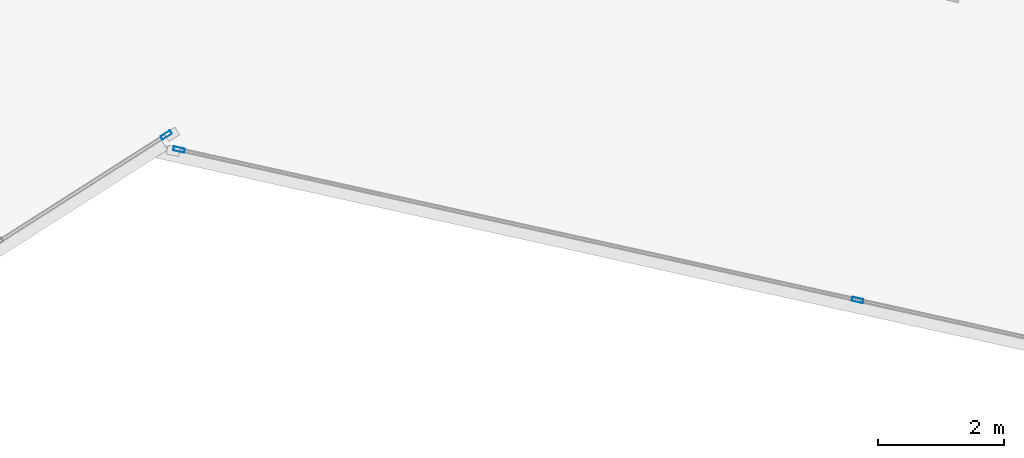
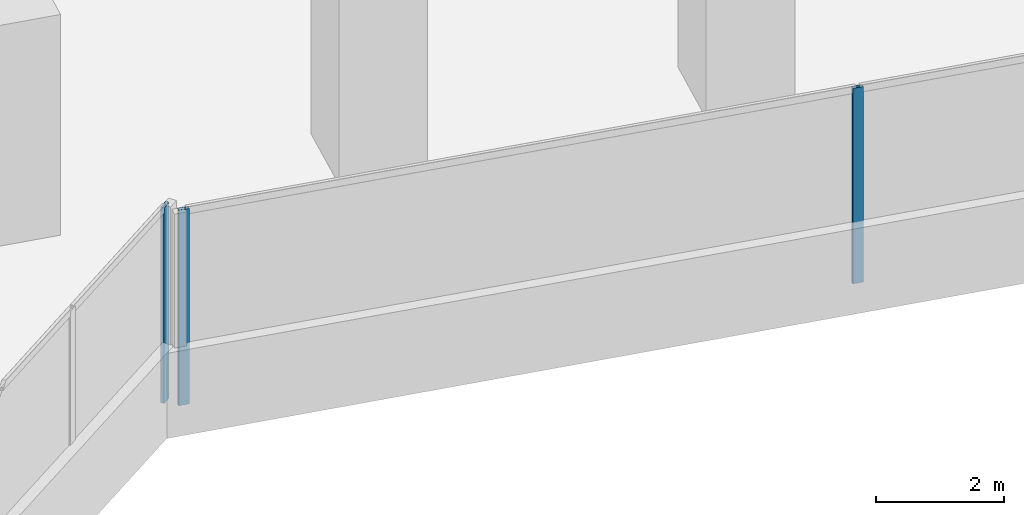
# One storey, part 8 of 25: 3 members, 2 elements without a shape of their own.
"""IFC4 building model written with IfcOpenShell, lengths in metres."""

from ifc_helpers import new_model, si_unit, direction, frame, origin, origin_2d, place, context, subcontext, project, spatial, hollow_rectangle, extrude, source, transform, mapped, material, material_profile, profile_set, type_object, element, aggregate, save


model = new_model("IFC4")

# Units and contexts
model_context = context("Model", 3, precision=1e-05, world=origin(), true_north=direction((0.0, 1.0)))
body_context = subcontext(model_context, "Body", "Model", "MODEL_VIEW")
ifc_project = project(units=[si_unit("LENGTHUNIT", "METRE"), si_unit("AREAUNIT", "SQUARE_METRE"), si_unit("VOLUMEUNIT", "CUBIC_METRE"), si_unit("PLANEANGLEUNIT", "RADIAN"), si_unit("MASSUNIT", "GRAM", prefix="KILO")], contexts=[model_context])

# Site, building, storey
site_placement = place(None, origin())
site = spatial("IfcSite", under=ifc_project, at=site_placement, CompositionType="ELEMENT")
building_placement = place(site_placement, origin())
building = spatial("IfcBuilding", under=site, at=building_placement, Name="Torre Montelarca", CompositionType="ELEMENT")
storey_placement = place(building_placement, frame((0.0, 0.0, 87.39990234375)))
storey = spatial("IfcBuildingStorey", under=building, at=storey_placement, Name="L19", CompositionType="ELEMENT", Elevation=87.39990234375)

# Curtain wall, member
ifc_material_1 = material(Name="Insulated low-E laminated glass", Category="glass")
curtain_wall_type = type_object("IfcCurtainWallType", Name="CW-SYS-Z1", PredefinedType="USERDEFINED", material=ifc_material_1)
curtain_wall_1_placement = place(storey_placement, origin())
curtain_wall_1 = element("IfcCurtainWall", 1, at=curtain_wall_1_placement, inside=storey, type_object=curtain_wall_type, Name="L19 Curtain Wall Run CW-T3-L19-E02-B1", ObjectType="UNITISED GLAZING", PredefinedType="USERDEFINED")
ifc_material_2 = material(Name="Anodised aluminium AA 6063-T6", Category="aluminium")
ifc_material_profile = material_profile(ifc_material_2, hollow_rectangle(XDim=0.06494140625, YDim=0.179931640625, WallThickness=0.00390625, InnerFilletRadius=0.00390625, OuterFilletRadius=0.008056640625, at=origin_2d()), Name="ALU65X180X4", Category="aluminium")
ifc_profile_set = profile_set([ifc_material_profile], Name="Anodised aluminium AA 6063-T6")
member_type = type_object("IfcMemberType", Name="CWM-ALU180", PredefinedType="MULLION", material=ifc_profile_set)
shared_shape = source(origin(), body_context, "Body", "SweptSolid", [
    extrude(hollow_rectangle(XDim=0.06494140625, YDim=0.179931640625, WallThickness=0.00390625, InnerFilletRadius=0.00390625, OuterFilletRadius=0.008056640625, at=origin_2d()), origin(), (0.0, 0.0, 1.0), 3.72021484375),
])
member_1_placement = place(storey_placement, frame((33.642578125, 15.4921875, 0.0), z_axis=(0.0, 0.0, 1.0), x_axis=(-0.537312197398, 0.843383425571, 0.0)))
member_1 = element("IfcMember", 2, at=member_1_placement, type_object=member_type, Name="CW mullion 3", PredefinedType="MULLION", context=body_context, shape_type="MappedRepresentation", body=[
    mapped(shared_shape, transform((0.0, 0.0, 0.0), scale=1.0)),
])
aggregate(curtain_wall_1, [member_1])

# Curtain wall, members
curtain_wall_2_placement = place(storey_placement, origin())
curtain_wall_2 = element("IfcCurtainWall", 3, at=curtain_wall_2_placement, inside=storey, type_object=curtain_wall_type, Name="L19 Curtain Wall Run CW-T3-L19-E04-B1", ObjectType="UNITISED GLAZING", PredefinedType="USERDEFINED")
member_2_placement = place(storey_placement, frame((33.84423828125, 15.261474609375, 0.0), z_axis=(0.0, 0.0, 1.0), x_axis=(0.216436780664, 0.976296635237, 0.0)))
member_2 = element("IfcMember", 4, at=member_2_placement, type_object=member_type, Name="CW mullion 1", PredefinedType="MULLION", context=body_context, shape_type="MappedRepresentation", body=[
    mapped(shared_shape, transform((0.0, 0.0, 0.0), scale=1.0)),
])
member_3_placement = place(storey_placement, frame((44.5966796875, 12.877685546875, 0.0), z_axis=(0.0, 0.0, 1.0), x_axis=(0.216436780664, 0.976296635237, 0.0)))
member_3 = element("IfcMember", 5, at=member_3_placement, type_object=member_type, Name="CW mullion 2", PredefinedType="MULLION", context=body_context, shape_type="MappedRepresentation", body=[
    mapped(shared_shape, transform((0.0, 0.0, 0.0), scale=1.0)),
])
aggregate(curtain_wall_2, [member_2, member_3])

save(model, "model.ifc")
